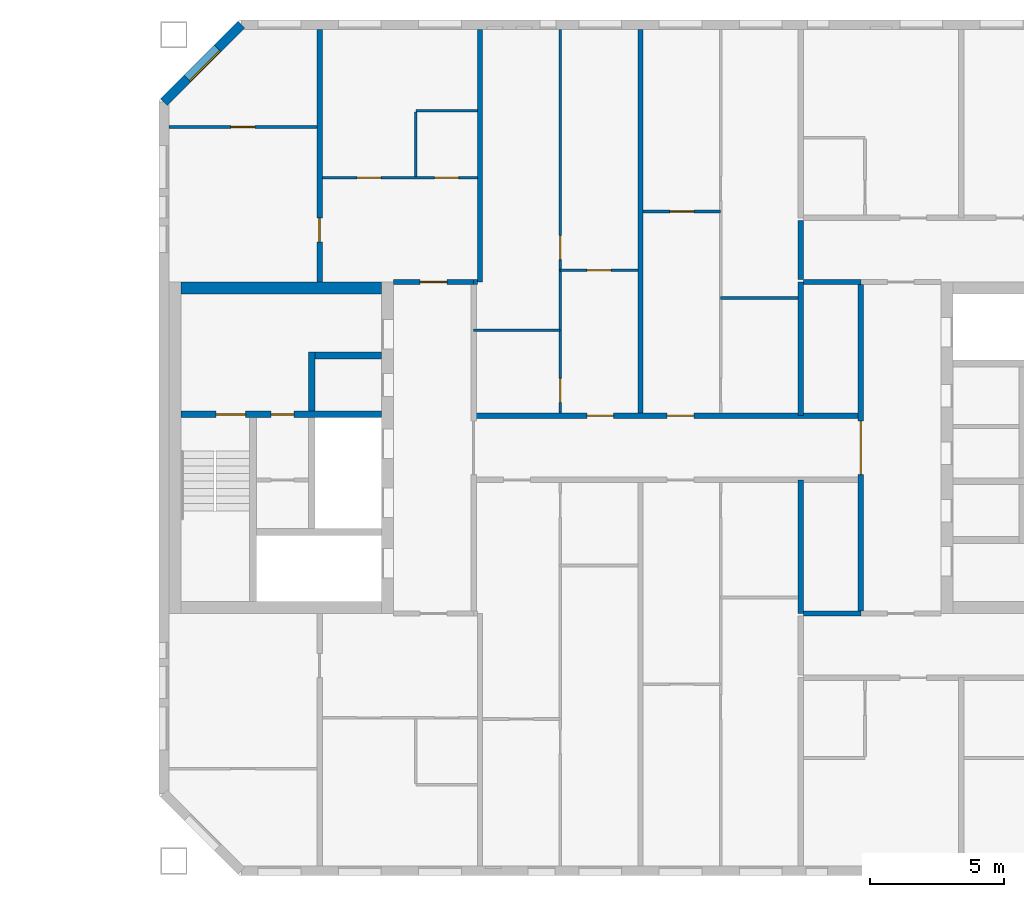
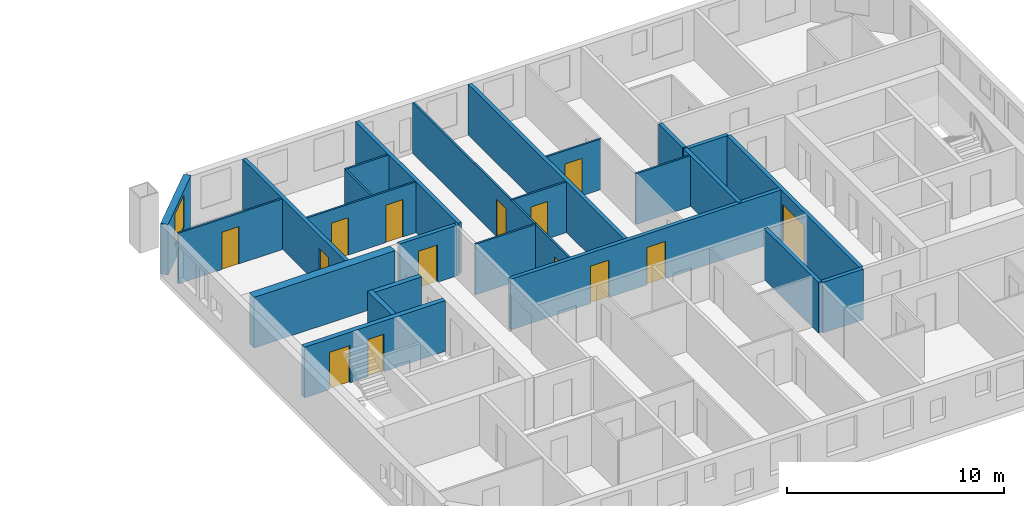
# One storey, part 10 of 15: 26 walls, 14 doors, 1 window, 15 openings.
"""IFC4 building model written with IfcOpenShell, lengths in metres."""

from ifc_helpers import new_model, si_unit, direction, frame, frame_2d, origin, place, context, subcontext, project, spatial, rectangle, extrude, material, layer, layer_set, type_object, element, fill, save


model = new_model("IFC4")

# Units and contexts
model_context = context("Model", 3, precision=1e-05, world=origin(), true_north=direction((0.0, 1.0)))
body_context = subcontext(model_context, "Body", "Model", "MODEL_VIEW")
ifc_project = project(units=[si_unit("LENGTHUNIT", "METRE"), si_unit("AREAUNIT", "SQUARE_METRE"), si_unit("VOLUMEUNIT", "CUBIC_METRE"), si_unit("PLANEANGLEUNIT", "RADIAN"), si_unit("MASSUNIT", "GRAM", prefix="KILO")], contexts=[model_context])

# Site, building, storey
site_placement = place(None, origin())
site = spatial("IfcSite", under=ifc_project, at=site_placement, CompositionType="ELEMENT")
building_placement = place(site_placement, origin())
building = spatial("IfcBuilding", under=site, at=building_placement, Name="Tuart Gate Housing", CompositionType="ELEMENT")
storey_placement = place(building_placement, frame((0.0, 0.0, 185.10009765625)))
storey = spatial("IfcBuildingStorey", under=building, at=storey_placement, Name="L52", CompositionType="ELEMENT", Elevation=185.10009765625)

# Wall, opening, window
ifc_material_1 = material(Name="Brick", Category="masonry")
ifc_layer_1 = layer(ifc_material_1, 0.360107421875)
ifc_layer_set_1 = layer_set([ifc_layer_1], Name="Brick pier and spandrel wall 360")
wall_type_1 = type_object("IfcWallType", Name="Brick pier and spandrel wall 360", PredefinedType="STANDARD", material=ifc_layer_set_1)
wall_1_placement = place(storey_placement, frame((134.07470703125, 85.820068359375, 0.0), z_axis=(0.0, 0.0, 1.0), x_axis=(-0.707106781187, -0.707106781187, 0.0)))
wall_1 = element("IfcWall", 1, at=wall_1_placement, inside=storey, type_object=wall_type_1, Name="External wall B-NW L52", PredefinedType="STANDARD", context=body_context, shape_type="SweptSolid", body=[
    extrude(rectangle(XDim=4.09375, YDim=0.360107421875, at=frame_2d((2.046875, 0.0))), origin(), (0.0, 0.0, 1.0), 2.849853515625),
])
opening_1_placement = place(wall_1_placement, frame((1.2470703125, 0.0, 0.800048828125)))
opening_1 = element("IfcOpeningElement", 2, at=opening_1_placement, cuts=wall_1, Name="Opening W1", PredefinedType="OPENING", context=body_context, shape_type="SweptSolid", body=[
    extrude(rectangle(XDim=1.60009765625, YDim=1.800048828125, at=frame_2d((0.800048828125, 0.89990234375))), frame((0.0, 0.18994140625, 0.0), z_axis=(0.0, -1.0, 0.0), x_axis=(1.0, 0.0, 0.0)), (0.0, 0.0, 1.0), 0.380126953125),
])
ifc_material_2 = material(Name="Aluminium frame with clear glass", Category="aluminium")
window_type = type_object("IfcWindowType", Name="Punched window 1600 x 1800", PartitioningType="SINGLE_PANEL", PredefinedType="WINDOW", material=ifc_material_2)
window_placement = place(opening_1_placement, origin())
window = element("IfcWindow", 3, at=window_placement, inside=storey, type_object=window_type, Name="Window W1", OverallHeight=1.800048828125, OverallWidth=1.60009765625, PartitioningType="SINGLE_PANEL", PredefinedType="WINDOW", context=body_context, shape_type="SweptSolid", body=[
    extrude(rectangle(XDim=1.60009765625, YDim=1.800048828125, at=frame_2d((0.800048828125, 0.89990234375))), frame((0.0, 0.150146484375, 0.0), z_axis=(0.0, -1.0, 0.0), x_axis=(1.0, 0.0, 0.0)), (0.0, 0.0, 1.0), 0.06005859375),
])
fill(opening_1, window)

# Wall, openings, doors
ifc_material_3 = material(Name="Concrete C40", Category="concrete")
ifc_layer_2 = layer(ifc_material_3, 0.25)
ifc_layer_set_2 = layer_set([ifc_layer_2], Name="Core wall 250 C40")
wall_type_2 = type_object("IfcWallType", Name="Core wall 250 C40", PredefinedType="SHEAR", material=ifc_layer_set_2)
wall_2_placement = place(storey_placement, frame((139.31005859375, 71.25, 0.0), z_axis=(0.0, 0.0, 1.0), x_axis=(-1.0, 0.0, 0.0)))
wall_2 = element("IfcWall", 4, at=wall_2_placement, inside=storey, type_object=wall_type_2, Name="Core wall BG.3", PredefinedType="SHEAR", context=body_context, shape_type="SweptSolid", body=[
    extrude(rectangle(XDim=7.5, YDim=0.25, at=frame_2d((3.75, 0.0))), origin(), (0.0, 0.0, 1.0), 2.849853515625),
])
opening_2_placement = place(wall_2_placement, frame((5.074951171875, 0.0, 0.0)))
opening_2 = element("IfcOpeningElement", 5, at=opening_2_placement, cuts=wall_2, Name="Opening D1914", PredefinedType="OPENING", context=body_context, shape_type="SweptSolid", body=[
    extrude(rectangle(XDim=1.10009765625, YDim=2.10009765625, at=frame_2d((0.550048828125, 1.050048828125))), frame((0.0, 0.135009765625, 0.0), z_axis=(0.0, -1.0, 0.0), x_axis=(1.0, 0.0, 0.0)), (0.0, 0.0, 1.0), 0.27001953125),
])
opening_3_placement = place(wall_2_placement, frame((3.27490234375, 0.0, 0.0)))
opening_3 = element("IfcOpeningElement", 6, at=opening_3_placement, cuts=wall_2, Name="Opening D1913", PredefinedType="OPENING", context=body_context, shape_type="SweptSolid", body=[
    extrude(rectangle(XDim=0.85009765625, YDim=2.10009765625, at=frame_2d((0.425048828125, 1.050048828125))), frame((0.0, 0.135009765625, 0.0), z_axis=(0.0, -1.0, 0.0), x_axis=(1.0, 0.0, 0.0)), (0.0, 0.0, 1.0), 0.27001953125),
])
ifc_material_4 = material(Name="Steel fire door", Category="steel")
door_type_1 = type_object("IfcDoorType", Name="Riser door 850 x 2100", OperationType="SINGLE_SWING_LEFT", PredefinedType="DOOR", material=ifc_material_4)
door_1_placement = place(opening_3_placement, origin())
door_1 = element("IfcDoor", 7, at=door_1_placement, inside=storey, type_object=door_type_1, Name="Service room door BG.W1", OperationType="SINGLE_SWING_LEFT", OverallHeight=2.10009765625, OverallWidth=0.85009765625, PredefinedType="DOOR", context=body_context, shape_type="SweptSolid", body=[
    extrude(rectangle(XDim=0.85009765625, YDim=2.10009765625, at=frame_2d((0.425048828125, 1.050048828125))), frame((0.0, 0.02490234375, 0.0), z_axis=(0.0, -1.0, 0.0), x_axis=(1.0, 0.0, 0.0)), (0.0, 0.0, 1.0), 0.050048828125),
])
fill(opening_3, door_1)
ifc_material_5 = material(Name="Steel fire door", Category="steel")
door_type_2 = type_object("IfcDoorType", Name="Stair door 1100 x 2100", OperationType="SINGLE_SWING_LEFT", PredefinedType="DOOR", material=ifc_material_5)
door_2_placement = place(opening_2_placement, origin())
door_2 = element("IfcDoor", 8, at=door_2_placement, inside=storey, type_object=door_type_2, Name="Stair door BG.SD", OperationType="SINGLE_SWING_LEFT", OverallHeight=2.10009765625, OverallWidth=1.10009765625, PredefinedType="DOOR", context=body_context, shape_type="SweptSolid", body=[
    extrude(rectangle(XDim=1.10009765625, YDim=2.10009765625, at=frame_2d((0.550048828125, 1.050048828125))), frame((0.0, 0.02490234375, 0.0), z_axis=(0.0, -1.0, 0.0), x_axis=(1.0, 0.0, 0.0)), (0.0, 0.0, 1.0), 0.050048828125),
])
fill(opening_2, door_2)

# Walls
wall_3_placement = place(storey_placement, frame((139.31005859375, 73.449951171875, 0.0), z_axis=(0.0, 0.0, 1.0), x_axis=(-1.0, 0.0, 0.0)))
element("IfcWall", 9, at=wall_3_placement, inside=storey, type_object=wall_type_2, Name="Core wall BG.4", PredefinedType="SHEAR", context=body_context, shape_type="SweptSolid", body=[
    extrude(rectangle(XDim=2.47509765625, YDim=0.25, at=frame_2d((1.237548828125, 0.0))), origin(), (0.0, 0.0, 1.0), 2.849853515625),
])
wall_4_placement = place(storey_placement, frame((136.7099609375, 71.375, 0.0), z_axis=(0.0, 0.0, 1.0), x_axis=(0.0, 1.0, 0.0)))
element("IfcWall", 10, at=wall_4_placement, inside=storey, type_object=wall_type_2, Name="Core wall BG.6", PredefinedType="SHEAR", context=body_context, shape_type="SweptSolid", body=[
    extrude(rectangle(XDim=2.199951171875, YDim=0.25, at=frame_2d((1.10009765625, 0.0))), origin(), (0.0, 0.0, 1.0), 2.849853515625),
])
ifc_material_6 = material(Name="Concrete C40", Category="concrete")
ifc_layer_3 = layer(ifc_material_6, 0.449951171875)
ifc_layer_set_3 = layer_set([ifc_layer_3], Name="Core wall 450 C40")
wall_type_3 = type_object("IfcWallType", Name="Core wall 450 C40", PredefinedType="SHEAR", material=ifc_layer_set_3)
wall_5_placement = place(storey_placement, frame((139.31005859375, 75.97509765625, 0.0), z_axis=(0.0, 0.0, 1.0), x_axis=(-1.0, 0.0, 0.0)))
element("IfcWall", 11, at=wall_5_placement, inside=storey, type_object=wall_type_3, Name="Core wall BG north", PredefinedType="SHEAR", context=body_context, shape_type="SweptSolid", body=[
    extrude(rectangle(XDim=7.5, YDim=0.449951171875, at=frame_2d((3.75, 0.0))), origin(), (0.0, 0.0, 1.0), 2.849853515625),
])
ifc_material_7 = material(Name="Concrete masonry 15 MPa", Category="masonry")
ifc_layer_4 = layer(ifc_material_7, 0.199951171875)
ifc_layer_set_4 = layer_set([ifc_layer_4], Name="Corridor wall masonry 200")
wall_type_4 = type_object("IfcWallType", Name="Corridor wall masonry 200", PredefinedType="PARTITIONING", material=ifc_layer_set_4)
wall_6_placement = place(storey_placement, frame((155.10009765625, 63.800048828125, 0.0), z_axis=(0.0, 0.0, 1.0), x_axis=(1.0, 0.0, 0.0)))
element("IfcWall", 12, at=wall_6_placement, inside=storey, type_object=wall_type_4, Name="Corridor wall masonry 200", PredefinedType="PARTITIONING", context=body_context, shape_type="SweptSolid", body=[
    extrude(rectangle(XDim=2.139892578125, YDim=0.199951171875, at=frame_2d((1.06982421875, 0.0))), origin(), (0.0, 0.0, 1.0), 2.849853515625),
])

# Wall, openings, doors
wall_7_placement = place(storey_placement, frame((142.760009765625, 71.199951171875, 0.0), z_axis=(0.0, 0.0, 1.0), x_axis=(1.0, 0.0, 0.0)))
wall_7 = element("IfcWall", 13, at=wall_7_placement, inside=storey, type_object=wall_type_4, Name="Corridor wall masonry 200", PredefinedType="PARTITIONING", context=body_context, shape_type="SweptSolid", body=[
    extrude(rectangle(XDim=14.47998046875, YDim=0.199951171875, at=frame_2d((7.239990234375, 0.0))), origin(), (0.0, 0.0, 1.0), 2.849853515625),
])
opening_4_placement = place(wall_7_placement, frame((4.239990234375, 0.0, 0.0)))
opening_4 = element("IfcOpeningElement", 14, at=opening_4_placement, cuts=wall_7, Name="Opening D1915", PredefinedType="OPENING", context=body_context, shape_type="SweptSolid", body=[
    extrude(rectangle(XDim=1.0, YDim=2.10009765625, at=frame_2d((0.5, 1.050048828125))), frame((0.0, 0.10986328125, 0.0), z_axis=(0.0, -1.0, 0.0), x_axis=(1.0, 0.0, 0.0)), (0.0, 0.0, 1.0), 0.219970703125),
])
opening_5_placement = place(wall_7_placement, frame((7.239990234375, 0.0, 0.0)))
opening_5 = element("IfcOpeningElement", 15, at=opening_5_placement, cuts=wall_7, Name="Opening D1916", PredefinedType="OPENING", context=body_context, shape_type="SweptSolid", body=[
    extrude(rectangle(XDim=1.0, YDim=2.10009765625, at=frame_2d((0.5, 1.050048828125))), frame((0.0, 0.10986328125, 0.0), z_axis=(0.0, -1.0, 0.0), x_axis=(1.0, 0.0, 0.0)), (0.0, 0.0, 1.0), 0.219970703125),
])
ifc_material_8 = material(Name="Timber door leaf in steel frame", Category="steel")
door_type_3 = type_object("IfcDoorType", Name="Flat entrance door 1000", OperationType="SINGLE_SWING_LEFT", PredefinedType="DOOR", material=ifc_material_8)
door_3_placement = place(opening_4_placement, origin())
door_3 = element("IfcDoor", 16, at=door_3_placement, inside=storey, type_object=door_type_3, Name="Flat entrance door", OperationType="SINGLE_SWING_LEFT", OverallHeight=2.10009765625, OverallWidth=1.0, PredefinedType="DOOR", context=body_context, shape_type="SweptSolid", body=[
    extrude(rectangle(XDim=1.0, YDim=2.10009765625, at=frame_2d((0.5, 1.050048828125))), frame((0.0, 0.02490234375, 0.0), z_axis=(0.0, -1.0, 0.0), x_axis=(1.0, 0.0, 0.0)), (0.0, 0.0, 1.0), 0.050048828125),
])
fill(opening_4, door_3)
door_4_placement = place(opening_5_placement, origin())
door_4 = element("IfcDoor", 17, at=door_4_placement, inside=storey, type_object=door_type_3, Name="Flat entrance door", OperationType="SINGLE_SWING_LEFT", OverallHeight=2.10009765625, OverallWidth=1.0, PredefinedType="DOOR", context=body_context, shape_type="SweptSolid", body=[
    extrude(rectangle(XDim=1.0, YDim=2.10009765625, at=frame_2d((0.5, 1.050048828125))), frame((0.0, 0.02490234375, 0.0), z_axis=(0.0, -1.0, 0.0), x_axis=(1.0, 0.0, 0.0)), (0.0, 0.0, 1.0), 0.050048828125),
])
fill(opening_5, door_4)

# Walls
wall_8_placement = place(storey_placement, frame((155.10009765625, 76.199951171875, 0.0), z_axis=(0.0, 0.0, 1.0), x_axis=(1.0, 0.0, 0.0)))
element("IfcWall", 18, at=wall_8_placement, inside=storey, type_object=wall_type_4, Name="Corridor wall masonry 200", PredefinedType="PARTITIONING", context=body_context, shape_type="SweptSolid", body=[
    extrude(rectangle(XDim=2.139892578125, YDim=0.199951171875, at=frame_2d((1.06982421875, 0.0))), origin(), (0.0, 0.0, 1.0), 2.849853515625),
])
wall_9_placement = place(storey_placement, frame((155.0, 76.300048828125, 0.0), z_axis=(0.0, 0.0, 1.0), x_axis=(0.0, 1.0, 0.0)))
element("IfcWall", 19, at=wall_9_placement, inside=storey, type_object=wall_type_4, Name="Corridor wall masonry 200", PredefinedType="PARTITIONING", context=body_context, shape_type="SweptSolid", body=[
    extrude(rectangle(XDim=2.199951171875, YDim=0.199951171875, at=frame_2d((1.10009765625, 0.0))), origin(), (0.0, 0.0, 1.0), 2.849853515625),
])

# Wall, opening, door
ifc_material_9 = material(Name="Concrete masonry 15 MPa", Category="masonry")
ifc_layer_5 = layer(ifc_material_9, 0.199951171875)
ifc_layer_set_5 = layer_set([ifc_layer_5], Name="Enclosure wall masonry 200")
wall_type_5 = type_object("IfcWallType", Name="Enclosure wall masonry 200", PredefinedType="PARTITIONING", material=ifc_layer_set_5)
wall_10_placement = place(storey_placement, frame((139.760009765625, 76.199951171875, 0.0), z_axis=(0.0, 0.0, 1.0), x_axis=(1.0, 0.0, 0.0)))
wall_10 = element("IfcWall", 20, at=wall_10_placement, inside=storey, type_object=wall_type_5, Name="Enclosure wall masonry 200", PredefinedType="PARTITIONING", context=body_context, shape_type="SweptSolid", body=[
    extrude(rectangle(XDim=3.0, YDim=0.199951171875, at=frame_2d((1.5, 0.0))), origin(), (0.0, 0.0, 1.0), 2.849853515625),
])
opening_6_placement = place(wall_10_placement, frame((1.0, 0.0, 0.0)))
opening_6 = element("IfcOpeningElement", 21, at=opening_6_placement, cuts=wall_10, Name="Opening D1911", PredefinedType="OPENING", context=body_context, shape_type="SweptSolid", body=[
    extrude(rectangle(XDim=1.0, YDim=2.10009765625, at=frame_2d((0.5, 1.050048828125))), frame((0.0, 0.10986328125, 0.0), z_axis=(0.0, -1.0, 0.0), x_axis=(1.0, 0.0, 0.0)), (0.0, 0.0, 1.0), 0.219970703125),
])
ifc_material_10 = material(Name="Timber door leaf in steel frame", Category="steel")
door_type_4 = type_object("IfcDoorType", Name="Flat entrance door 1000 RH", OperationType="SINGLE_SWING_RIGHT", PredefinedType="DOOR", material=ifc_material_10)
door_5_placement = place(opening_6_placement, origin())
door_5 = element("IfcDoor", 22, at=door_5_placement, inside=storey, type_object=door_type_4, Name="Flat entrance door", OperationType="SINGLE_SWING_RIGHT", OverallHeight=2.10009765625, OverallWidth=1.0, PredefinedType="DOOR", context=body_context, shape_type="SweptSolid", body=[
    extrude(rectangle(XDim=1.0, YDim=2.10009765625, at=frame_2d((0.5, 1.050048828125))), frame((0.0, 0.02490234375, 0.0), z_axis=(0.0, -1.0, 0.0), x_axis=(1.0, 0.0, 0.0)), (0.0, 0.0, 1.0), 0.050048828125),
])
fill(opening_6, door_5)

ifc_material_11 = material(Name="Plasterboard partition")
ifc_layer_6 = layer(ifc_material_11, 0.199951171875)
ifc_layer_set_6 = layer_set([ifc_layer_6], Name="Lobby wall 200")
wall_type_6 = type_object("IfcWallType", Name="Lobby wall 200", PredefinedType="PARTITIONING", material=ifc_layer_set_6)
wall_11_placement = place(storey_placement, frame((157.239990234375, 63.89990234375, 0.0), z_axis=(0.0, 0.0, 1.0), x_axis=(0.0, 1.0, 0.0)))
wall_11 = element("IfcWall", 23, at=wall_11_placement, inside=storey, type_object=wall_type_6, Name="Lift lobby wall BK", PredefinedType="PARTITIONING", context=body_context, shape_type="SweptSolid", body=[
    extrude(rectangle(XDim=12.2001953125, YDim=0.199951171875, at=frame_2d((6.10009765625, 0.0))), origin(), (0.0, 0.0, 1.0), 2.849853515625),
])
opening_7_placement = place(wall_11_placement, frame((5.10009765625, 0.0, 0.0)))
opening_7 = element("IfcOpeningElement", 24, at=opening_7_placement, cuts=wall_11, Name="Opening D1920", PredefinedType="OPENING", context=body_context, shape_type="SweptSolid", body=[
    extrude(rectangle(XDim=2.0, YDim=2.10009765625, at=frame_2d((1.0, 1.050048828125))), frame((0.0, 0.10986328125, 0.0), z_axis=(0.0, -1.0, 0.0), x_axis=(1.0, 0.0, 0.0)), (0.0, 0.0, 1.0), 0.219970703125),
])
ifc_material_12 = material(Name="Steel fire door", Category="steel")
door_type_5 = type_object("IfcDoorType", Name="Smoke door 2000 x 2100", OperationType="DOUBLE_DOOR_SINGLE_SWING", PredefinedType="DOOR", material=ifc_material_12)
door_6_placement = place(opening_7_placement, frame((2.0, 0.0, 0.0), z_axis=(0.0, 0.0, 1.0), x_axis=(-1.0, 0.0, 0.0)))
door_6 = element("IfcDoor", 25, at=door_6_placement, inside=storey, type_object=door_type_5, Name="Lift lobby smoke door BK", OperationType="DOUBLE_DOOR_SINGLE_SWING", OverallHeight=2.10009765625, OverallWidth=2.0, PredefinedType="DOOR", context=body_context, shape_type="SweptSolid", body=[
    extrude(rectangle(XDim=2.0, YDim=2.10009765625, at=frame_2d((1.0, 1.050048828125))), frame((0.0, 0.025146484375, 0.0), z_axis=(0.0, -1.0, 0.0), x_axis=(1.0, 0.0, 0.0)), (0.0, 0.0, 1.0), 0.050048828125),
])
fill(opening_7, door_6)

# Walls
ifc_material_13 = material(Name="Gypsum board on steel studs", Category="steel")
ifc_layer_7 = layer(ifc_material_13, 0.10009765625)
ifc_layer_set_7 = layer_set([ifc_layer_7], Name="Partition 100")
wall_type_7 = type_object("IfcWallType", Name="Partition 100", PredefinedType="PARTITIONING", material=ifc_layer_set_7)
wall_12_placement = place(storey_placement, frame((142.760009765625, 74.39990234375, 0.0), z_axis=(0.0, 0.0, 1.0), x_axis=(1.0, 0.0, 0.0)))
element("IfcWall", 26, at=wall_12_placement, inside=storey, type_object=wall_type_7, Name="Partition 100", PredefinedType="PARTITIONING", context=body_context, shape_type="SweptSolid", body=[
    extrude(rectangle(XDim=3.239990234375, YDim=0.10009765625, at=frame_2d((1.6201171875, 0.0))), origin(), (0.0, 0.0, 1.0), 2.849853515625),
])
wall_13_placement = place(storey_placement, frame((152.0, 75.60009765625, 0.0), z_axis=(0.0, 0.0, 1.0), x_axis=(1.0, 0.0, 0.0)))
element("IfcWall", 27, at=wall_13_placement, inside=storey, type_object=wall_type_7, Name="Partition 100", PredefinedType="PARTITIONING", context=body_context, shape_type="SweptSolid", body=[
    extrude(rectangle(XDim=2.89990234375, YDim=0.10009765625, at=frame_2d((1.449951171875, 0.0))), origin(), (0.0, 0.0, 1.0), 2.849853515625),
])

# Wall, opening, door
wall_14_placement = place(storey_placement, frame((146.0, 76.639892578125, 0.0), z_axis=(0.0, 0.0, 1.0), x_axis=(1.0, 0.0, 0.0)))
wall_14 = element("IfcWall", 28, at=wall_14_placement, inside=storey, type_object=wall_type_7, Name="Partition 100", PredefinedType="PARTITIONING", context=body_context, shape_type="SweptSolid", body=[
    extrude(rectangle(XDim=2.89990234375, YDim=0.10009765625, at=frame_2d((1.449951171875, 0.0))), origin(), (0.0, 0.0, 1.0), 2.849853515625),
])
opening_8_placement = place(wall_14_placement, frame((1.0, 0.0, 0.0)))
opening_8 = element("IfcOpeningElement", 29, at=opening_8_placement, cuts=wall_14, Name="Opening D1910", PredefinedType="OPENING", context=body_context, shape_type="SweptSolid", body=[
    extrude(rectangle(XDim=0.89990234375, YDim=2.10009765625, at=frame_2d((0.449951171875, 1.050048828125))), frame((0.0, 0.06005859375, 0.0), z_axis=(0.0, -1.0, 0.0), x_axis=(1.0, 0.0, 0.0)), (0.0, 0.0, 1.0), 0.1201171875),
])
ifc_material_14 = material(Name="Timber door leaf in steel frame", Category="steel")
door_type_6 = type_object("IfcDoorType", Name="Internal door 900 RH", OperationType="SINGLE_SWING_RIGHT", PredefinedType="DOOR", material=ifc_material_14)
door_7_placement = place(opening_8_placement, frame((0.89990234375, 0.0, 0.0), z_axis=(0.0, 0.0, 1.0), x_axis=(-1.0, 0.0, 0.0)))
door_7 = element("IfcDoor", 30, at=door_7_placement, inside=storey, type_object=door_type_6, Name="Internal door", OperationType="SINGLE_SWING_RIGHT", OverallHeight=2.10009765625, OverallWidth=0.89990234375, PredefinedType="DOOR", context=body_context, shape_type="SweptSolid", body=[
    extrude(rectangle(XDim=0.89990234375, YDim=2.10009765625, at=frame_2d((0.449951171875, 1.050048828125))), frame((0.0, 0.025146484375, 0.0), z_axis=(0.0, -1.0, 0.0), x_axis=(1.0, 0.0, 0.0)), (0.0, 0.0, 1.0), 0.050048828125),
])
fill(opening_8, door_7)

wall_15_placement = place(storey_placement, frame((149.10009765625, 78.840087890625, 0.0), z_axis=(0.0, 0.0, 1.0), x_axis=(1.0, 0.0, 0.0)))
wall_15 = element("IfcWall", 31, at=wall_15_placement, inside=storey, type_object=wall_type_7, Name="Partition 100", PredefinedType="PARTITIONING", context=body_context, shape_type="SweptSolid", body=[
    extrude(rectangle(XDim=2.89990234375, YDim=0.10009765625, at=frame_2d((1.449951171875, 0.0))), origin(), (0.0, 0.0, 1.0), 2.849853515625),
])
opening_9_placement = place(wall_15_placement, frame((1.0, 0.0, 0.0)))
opening_9 = element("IfcOpeningElement", 32, at=opening_9_placement, cuts=wall_15, Name="Opening D1903", PredefinedType="OPENING", context=body_context, shape_type="SweptSolid", body=[
    extrude(rectangle(XDim=0.89990234375, YDim=2.10009765625, at=frame_2d((0.449951171875, 1.050048828125))), frame((0.0, 0.06005859375, 0.0), z_axis=(0.0, -1.0, 0.0), x_axis=(1.0, 0.0, 0.0)), (0.0, 0.0, 1.0), 0.1201171875),
])
ifc_material_15 = material(Name="Timber door leaf in steel frame", Category="steel")
door_type_7 = type_object("IfcDoorType", Name="Internal door 900", OperationType="SINGLE_SWING_LEFT", PredefinedType="DOOR", material=ifc_material_15)
door_8_placement = place(opening_9_placement, frame((0.89990234375, 0.0, 0.0), z_axis=(0.0, 0.0, 1.0), x_axis=(-1.0, 0.0, 0.0)))
door_8 = element("IfcDoor", 33, at=door_8_placement, inside=storey, type_object=door_type_7, Name="Internal door", OperationType="SINGLE_SWING_LEFT", OverallHeight=2.10009765625, OverallWidth=0.89990234375, PredefinedType="DOOR", context=body_context, shape_type="SweptSolid", body=[
    extrude(rectangle(XDim=0.89990234375, YDim=2.10009765625, at=frame_2d((0.449951171875, 1.050048828125))), frame((0.0, 0.025146484375, 0.0), z_axis=(0.0, -1.0, 0.0), x_axis=(1.0, 0.0, 0.0)), (0.0, 0.0, 1.0), 0.050048828125),
])
fill(opening_9, door_8)

# Wall, openings, doors
wall_16_placement = place(storey_placement, frame((137.10009765625, 80.10009765625, 0.0), z_axis=(0.0, 0.0, 1.0), x_axis=(1.0, 0.0, 0.0)))
wall_16 = element("IfcWall", 34, at=wall_16_placement, inside=storey, type_object=wall_type_7, Name="Partition 100", PredefinedType="PARTITIONING", context=body_context, shape_type="SweptSolid", body=[
    extrude(rectangle(XDim=5.7998046875, YDim=0.10009765625, at=frame_2d((2.89990234375, 0.0))), origin(), (0.0, 0.0, 1.0), 2.849853515625),
])
opening_10_placement = place(wall_16_placement, frame((1.300048828125, 0.0, 0.0)))
opening_10 = element("IfcOpeningElement", 35, at=opening_10_placement, cuts=wall_16, Name="Opening D1902", PredefinedType="OPENING", context=body_context, shape_type="SweptSolid", body=[
    extrude(rectangle(XDim=0.89990234375, YDim=2.10009765625, at=frame_2d((0.449951171875, 1.050048828125))), frame((0.0, 0.06005859375, 0.0), z_axis=(0.0, -1.0, 0.0), x_axis=(1.0, 0.0, 0.0)), (0.0, 0.0, 1.0), 0.1201171875),
])
opening_11_placement = place(wall_16_placement, frame((4.199951171875, 0.0, 0.0)))
opening_11 = element("IfcOpeningElement", 36, at=opening_11_placement, cuts=wall_16, Name="Opening D1901", PredefinedType="OPENING", context=body_context, shape_type="SweptSolid", body=[
    extrude(rectangle(XDim=0.89990234375, YDim=2.10009765625, at=frame_2d((0.449951171875, 1.050048828125))), frame((0.0, 0.06005859375, 0.0), z_axis=(0.0, -1.0, 0.0), x_axis=(1.0, 0.0, 0.0)), (0.0, 0.0, 1.0), 0.1201171875),
])
ifc_material_16 = material(Name="Timber door leaf in steel frame", Category="steel")
door_type_8 = type_object("IfcDoorType", Name="Bathroom door 900", OperationType="SINGLE_SWING_LEFT", PredefinedType="DOOR", material=ifc_material_16)
door_9_placement = place(opening_11_placement, origin())
door_9 = element("IfcDoor", 37, at=door_9_placement, inside=storey, type_object=door_type_8, Name="Bathroom door", OperationType="SINGLE_SWING_LEFT", OverallHeight=2.10009765625, OverallWidth=0.89990234375, PredefinedType="DOOR", context=body_context, shape_type="SweptSolid", body=[
    extrude(rectangle(XDim=0.89990234375, YDim=2.10009765625, at=frame_2d((0.449951171875, 1.050048828125))), frame((0.0, 0.02490234375, 0.0), z_axis=(0.0, -1.0, 0.0), x_axis=(1.0, 0.0, 0.0)), (0.0, 0.0, 1.0), 0.050048828125),
])
fill(opening_11, door_9)
door_10_placement = place(opening_10_placement, origin())
door_10 = element("IfcDoor", 38, at=door_10_placement, inside=storey, type_object=door_type_6, Name="Internal door", OperationType="SINGLE_SWING_RIGHT", OverallHeight=2.10009765625, OverallWidth=0.89990234375, PredefinedType="DOOR", context=body_context, shape_type="SweptSolid", body=[
    extrude(rectangle(XDim=0.89990234375, YDim=2.10009765625, at=frame_2d((0.449951171875, 1.050048828125))), frame((0.0, 0.02490234375, 0.0), z_axis=(0.0, -1.0, 0.0), x_axis=(1.0, 0.0, 0.0)), (0.0, 0.0, 1.0), 0.050048828125),
])
fill(opening_10, door_10)

# Wall, opening, door
wall_17_placement = place(storey_placement, frame((131.360107421875, 82.0, 0.0), z_axis=(0.0, 0.0, 1.0), x_axis=(1.0, 0.0, 0.0)))
wall_17 = element("IfcWall", 39, at=wall_17_placement, inside=storey, type_object=wall_type_7, Name="Partition 100", PredefinedType="PARTITIONING", context=body_context, shape_type="SweptSolid", body=[
    extrude(rectangle(XDim=5.539794921875, YDim=0.10009765625, at=frame_2d((2.77001953125, 0.0))), origin(), (0.0, 0.0, 1.0), 2.849853515625),
])
opening_12_placement = place(wall_17_placement, frame((2.320068359375, 0.0, 0.0)))
opening_12 = element("IfcOpeningElement", 40, at=opening_12_placement, cuts=wall_17, Name="Opening D1897", PredefinedType="OPENING", context=body_context, shape_type="SweptSolid", body=[
    extrude(rectangle(XDim=0.89990234375, YDim=2.10009765625, at=frame_2d((0.449951171875, 1.050048828125))), frame((0.0, 0.06005859375, 0.0), z_axis=(0.0, -1.0, 0.0), x_axis=(1.0, 0.0, 0.0)), (0.0, 0.0, 1.0), 0.1201171875),
])
door_11_placement = place(opening_12_placement, origin())
door_11 = element("IfcDoor", 41, at=door_11_placement, inside=storey, type_object=door_type_7, Name="Internal door", OperationType="SINGLE_SWING_LEFT", OverallHeight=2.10009765625, OverallWidth=0.89990234375, PredefinedType="DOOR", context=body_context, shape_type="SweptSolid", body=[
    extrude(rectangle(XDim=0.89990234375, YDim=2.10009765625, at=frame_2d((0.449951171875, 1.050048828125))), frame((0.0, 0.02490234375, 0.0), z_axis=(0.0, -1.0, 0.0), x_axis=(1.0, 0.0, 0.0)), (0.0, 0.0, 1.0), 0.050048828125),
])
fill(opening_12, door_11)

# Walls
wall_18_placement = place(storey_placement, frame((140.60009765625, 82.60009765625, 0.0), z_axis=(0.0, 0.0, 1.0), x_axis=(1.0, 0.0, 0.0)))
element("IfcWall", 42, at=wall_18_placement, inside=storey, type_object=wall_type_7, Name="Partition 100", PredefinedType="PARTITIONING", context=body_context, shape_type="SweptSolid", body=[
    extrude(rectangle(XDim=2.2998046875, YDim=0.10009765625, at=frame_2d((1.14990234375, 0.0))), origin(), (0.0, 0.0, 1.0), 2.849853515625),
])
wall_19_placement = place(storey_placement, frame((140.60009765625, 80.14990234375, 0.0), z_axis=(0.0, 0.0, 1.0), x_axis=(0.0, 1.0, 0.0)))
element("IfcWall", 43, at=wall_19_placement, inside=storey, type_object=wall_type_7, Name="Partition 100", PredefinedType="PARTITIONING", context=body_context, shape_type="SweptSolid", body=[
    extrude(rectangle(XDim=2.400146484375, YDim=0.10009765625, at=frame_2d((1.2001953125, 0.0))), origin(), (0.0, 0.0, 1.0), 2.849853515625),
])

# Wall, openings, doors
wall_20_placement = place(storey_placement, frame((146.0, 71.300048828125, 0.0), z_axis=(0.0, 0.0, 1.0), x_axis=(0.0, 1.0, 0.0)))
wall_20 = element("IfcWall", 44, at=wall_20_placement, inside=storey, type_object=wall_type_7, Name="Partition 100", PredefinedType="PARTITIONING", context=body_context, shape_type="SweptSolid", body=[
    extrude(rectangle(XDim=14.33984375, YDim=0.10009765625, at=frame_2d((7.169921875, 0.0))), origin(), (0.0, 0.0, 1.0), 2.849853515625),
])
opening_13_placement = place(wall_20_placement, frame((5.739990234375, 0.0, 0.0)))
opening_13 = element("IfcOpeningElement", 45, at=opening_13_placement, cuts=wall_20, Name="Opening D1907", PredefinedType="OPENING", context=body_context, shape_type="SweptSolid", body=[
    extrude(rectangle(XDim=0.89990234375, YDim=2.10009765625, at=frame_2d((0.449951171875, 1.050048828125))), frame((0.0, 0.06005859375, 0.0), z_axis=(0.0, -1.0, 0.0), x_axis=(1.0, 0.0, 0.0)), (0.0, 0.0, 1.0), 0.1201171875),
])
opening_14_placement = place(wall_20_placement, frame((0.39990234375, 0.0, 0.0)))
opening_14 = element("IfcOpeningElement", 46, at=opening_14_placement, cuts=wall_20, Name="Opening D1906", PredefinedType="OPENING", context=body_context, shape_type="SweptSolid", body=[
    extrude(rectangle(XDim=0.89990234375, YDim=2.10009765625, at=frame_2d((0.449951171875, 1.050048828125))), frame((0.0, 0.06005859375, 0.0), z_axis=(0.0, -1.0, 0.0), x_axis=(1.0, 0.0, 0.0)), (0.0, 0.0, 1.0), 0.1201171875),
])
door_12_placement = place(opening_14_placement, origin())
door_12 = element("IfcDoor", 47, at=door_12_placement, inside=storey, type_object=door_type_8, Name="Bathroom door", OperationType="SINGLE_SWING_LEFT", OverallHeight=2.10009765625, OverallWidth=0.89990234375, PredefinedType="DOOR", context=body_context, shape_type="SweptSolid", body=[
    extrude(rectangle(XDim=0.89990234375, YDim=2.10009765625, at=frame_2d((0.449951171875, 1.050048828125))), frame((0.0, 0.02490234375, 0.0), z_axis=(0.0, -1.0, 0.0), x_axis=(1.0, 0.0, 0.0)), (0.0, 0.0, 1.0), 0.050048828125),
])
fill(opening_14, door_12)
door_13_placement = place(opening_13_placement, origin())
door_13 = element("IfcDoor", 48, at=door_13_placement, inside=storey, type_object=door_type_7, Name="Internal door", OperationType="SINGLE_SWING_LEFT", OverallHeight=2.10009765625, OverallWidth=0.89990234375, PredefinedType="DOOR", context=body_context, shape_type="SweptSolid", body=[
    extrude(rectangle(XDim=0.89990234375, YDim=2.10009765625, at=frame_2d((0.449951171875, 1.050048828125))), frame((0.0, 0.02490234375, 0.0), z_axis=(0.0, -1.0, 0.0), x_axis=(1.0, 0.0, 0.0)), (0.0, 0.0, 1.0), 0.050048828125),
])
fill(opening_13, door_13)

# Wall, opening, door
ifc_material_17 = material(Name="Concrete C40", Category="concrete")
ifc_layer_8 = layer(ifc_material_17, 0.199951171875)
ifc_layer_set_8 = layer_set([ifc_layer_8], Name="Party wall concrete C40 200")
wall_type_8 = type_object("IfcWallType", Name="Party wall concrete C40 200", PredefinedType="SOLIDWALL", material=ifc_layer_set_8)
wall_21_placement = place(storey_placement, frame((137.0, 76.199951171875, 0.0), z_axis=(0.0, 0.0, 1.0), x_axis=(0.0, 1.0, 0.0)))
wall_21 = element("IfcWall", 49, at=wall_21_placement, inside=storey, type_object=wall_type_8, Name="Party wall concrete C40 200", PredefinedType="SOLIDWALL", context=body_context, shape_type="SweptSolid", body=[
    extrude(rectangle(XDim=9.43994140625, YDim=0.199951171875, at=frame_2d((4.719970703125, 0.0))), origin(), (0.0, 0.0, 1.0), 2.849853515625),
])
opening_15_placement = place(wall_21_placement, frame((1.5, 0.0, 0.0)))
opening_15 = element("IfcOpeningElement", 50, at=opening_15_placement, cuts=wall_21, Name="Opening D1898", PredefinedType="OPENING", context=body_context, shape_type="SweptSolid", body=[
    extrude(rectangle(XDim=0.89990234375, YDim=2.10009765625, at=frame_2d((0.449951171875, 1.050048828125))), frame((0.0, 0.10986328125, 0.0), z_axis=(0.0, -1.0, 0.0), x_axis=(1.0, 0.0, 0.0)), (0.0, 0.0, 1.0), 0.219970703125),
])
door_14_placement = place(opening_15_placement, frame((0.89990234375, 0.0, 0.0), z_axis=(0.0, 0.0, 1.0), x_axis=(-1.0, 0.0, 0.0)))
door_14 = element("IfcDoor", 51, at=door_14_placement, inside=storey, type_object=door_type_6, Name="Internal door", OperationType="SINGLE_SWING_RIGHT", OverallHeight=2.10009765625, OverallWidth=0.89990234375, PredefinedType="DOOR", context=body_context, shape_type="SweptSolid", body=[
    extrude(rectangle(XDim=0.89990234375, YDim=2.10009765625, at=frame_2d((0.449951171875, 1.050048828125))), frame((0.0, 0.025146484375, 0.0), z_axis=(0.0, -1.0, 0.0), x_axis=(1.0, 0.0, 0.0)), (0.0, 0.0, 1.0), 0.050048828125),
])
fill(opening_15, door_14)

# Walls
wall_22_placement = place(storey_placement, frame((143.0, 76.199951171875, 0.0), z_axis=(0.0, 0.0, 1.0), x_axis=(0.0, 1.0, 0.0)))
element("IfcWall", 52, at=wall_22_placement, inside=storey, type_object=wall_type_8, Name="Party wall concrete C40 200", PredefinedType="SOLIDWALL", context=body_context, shape_type="SweptSolid", body=[
    extrude(rectangle(XDim=9.43994140625, YDim=0.199951171875, at=frame_2d((4.719970703125, 0.0))), origin(), (0.0, 0.0, 1.0), 2.849853515625),
])
wall_23_placement = place(storey_placement, frame((149.0, 71.199951171875, 0.0), z_axis=(0.0, 0.0, 1.0), x_axis=(0.0, 1.0, 0.0)))
element("IfcWall", 53, at=wall_23_placement, inside=storey, type_object=wall_type_8, Name="Party wall concrete C40 200", PredefinedType="SOLIDWALL", context=body_context, shape_type="SweptSolid", body=[
    extrude(rectangle(XDim=14.43994140625, YDim=0.199951171875, at=frame_2d((7.219970703125, 0.0))), origin(), (0.0, 0.0, 1.0), 2.849853515625),
])
for number, where, z_axis, x_axis, name in (
    (54, (155.0, 63.800048828125, 0.0), (0.0, 0.0, 1.0), (0.0, 1.0, 0.0), "Party wall concrete C40 200"),
    (55, (155.0, 71.199951171875, 0.0), (0.0, 0.0, 1.0), (0.0, 1.0, 0.0), "Party wall concrete C40 200"),
):
    element("IfcWall", number, at=place(storey_placement, frame(where, z_axis=z_axis, x_axis=x_axis)), inside=storey, type_object=wall_type_8, Name=name, PredefinedType="SOLIDWALL", context=body_context, shape_type="SweptSolid", body=[
        extrude(rectangle(XDim=5.0, YDim=0.199951171875, at=frame_2d((2.5, 0.0))), origin(), (0.0, 0.0, 1.0), 2.849853515625),
    ])
ifc_material_18 = material(Name="Concrete masonry 15 MPa", Category="masonry")
ifc_layer_9 = layer(ifc_material_18, 0.199951171875)
ifc_layer_set_9 = layer_set([ifc_layer_9], Name="Party wall masonry 200")
wall_type_9 = type_object("IfcWallType", Name="Party wall masonry 200", PredefinedType="PARTITIONING", material=ifc_layer_set_9)
wall_24_placement = place(storey_placement, frame((142.760009765625, 76.199951171875, 0.0), z_axis=(0.0, 0.0, 1.0), x_axis=(1.0, 0.0, 0.0)))
element("IfcWall", 56, at=wall_24_placement, inside=storey, type_object=wall_type_9, Name="Party wall masonry 200", PredefinedType="PARTITIONING", context=body_context, shape_type="SweptSolid", body=[
    extrude(rectangle(XDim=0.139892578125, YDim=0.199951171875, at=frame_2d((0.06982421875, 0.0))), origin(), (0.0, 0.0, 1.0), 2.849853515625),
])

save(model, "model.ifc")
